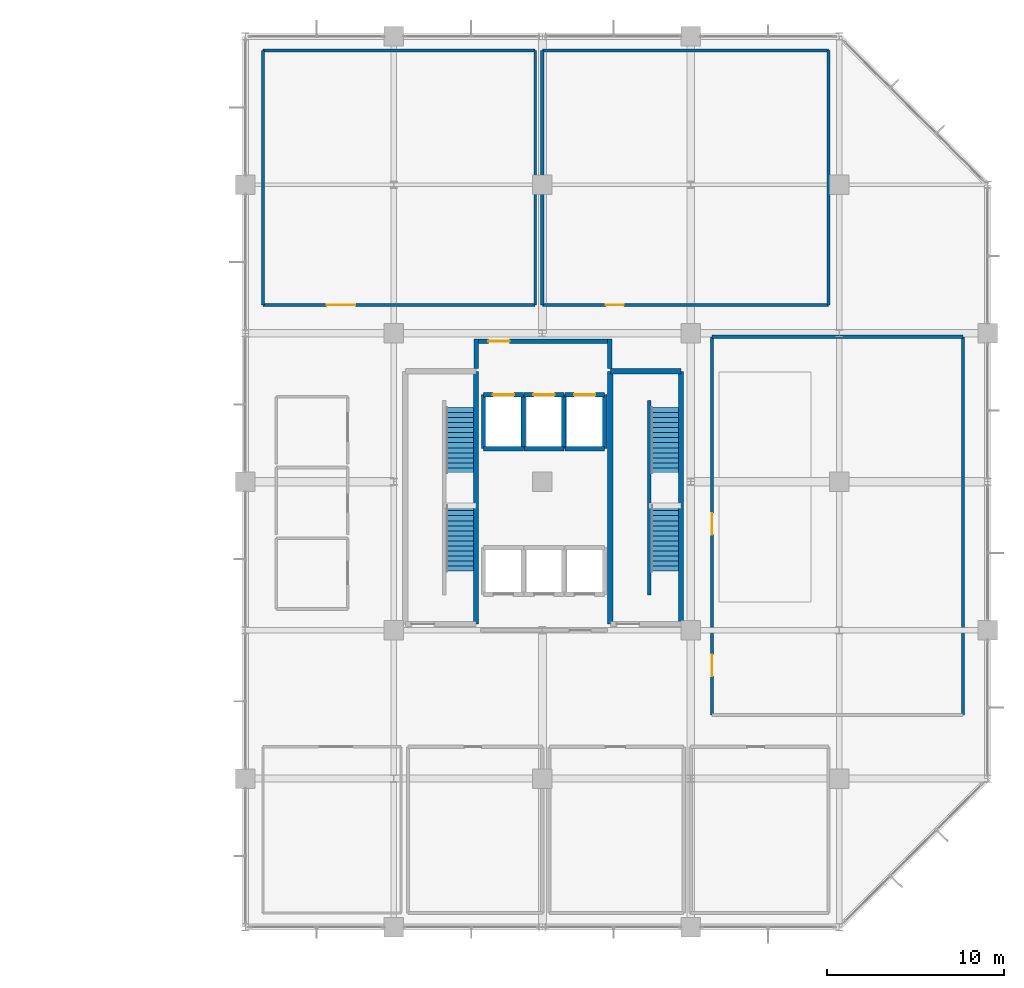
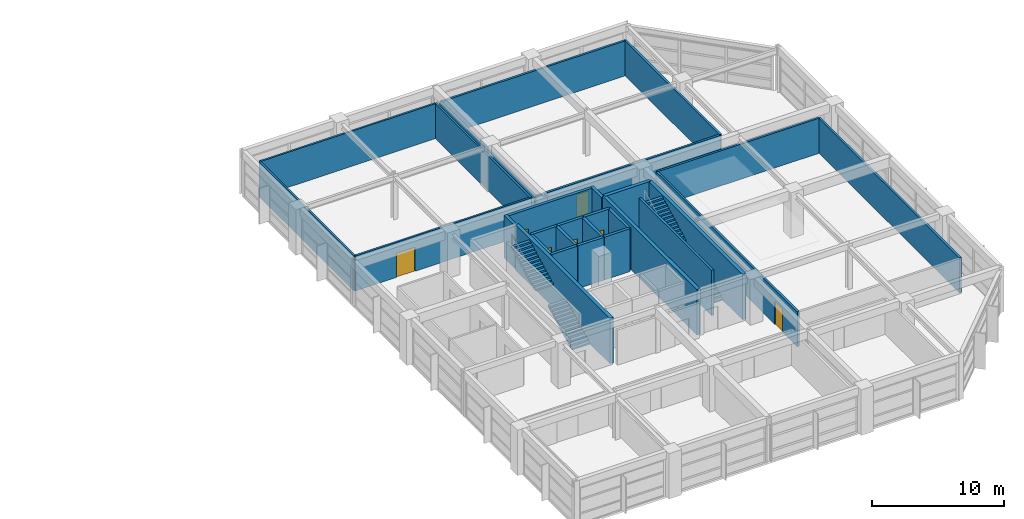
# One storey, part 16 of 18: 29 walls, 8 doors, 4 stair flights, 8 openings, 2 elements without a shape of their own.
"""IFC4 building model written with IfcOpenShell, lengths in metres."""

from ifc_helpers import new_model, si_unit, direction, frame, frame_2d, origin, place, context, subcontext, project, spatial, polyline, rectangle, outline, extrude, material, layer, layer_set, type_object, element, fill, aggregate, save


model = new_model("IFC4")

# Units and contexts
model_context = context("Model", 3, precision=1e-05, world=origin(), true_north=direction((0.0, 1.0)))
body_context = subcontext(model_context, "Body", "Model", "MODEL_VIEW")
ifc_project = project(units=[si_unit("LENGTHUNIT", "METRE"), si_unit("AREAUNIT", "SQUARE_METRE"), si_unit("VOLUMEUNIT", "CUBIC_METRE"), si_unit("PLANEANGLEUNIT", "RADIAN"), si_unit("MASSUNIT", "GRAM", prefix="KILO")], contexts=[model_context])

# Site, building, storey
site_placement = place(None, origin())
site = spatial("IfcSite", under=ifc_project, at=site_placement, CompositionType="ELEMENT")
building_placement = place(site_placement, origin())
building = spatial("IfcBuilding", under=site, at=building_placement, Name="Xuanlan Plaza Opera House", CompositionType="ELEMENT")
storey_placement = place(building_placement, frame((0.0, 0.0, 32.10009765625)))
storey = spatial("IfcBuildingStorey", under=building, at=storey_placement, Name="L07", CompositionType="ELEMENT", Elevation=32.10009765625)

# Wall
ifc_material_1 = material(Name="Gypsum Board and Galvanised Steel Studs", Category="gypsum")
ifc_layer_1 = layer(ifc_material_1, 0.179931640625)
ifc_layer_set_1 = layer_set([ifc_layer_1], Name="Gypsum Board and Galvanised Steel Studs")
wall_type_1 = type_object("IfcWallType", Name="INT-WL-PW-02", PredefinedType="PARTITIONING", material=ifc_layer_set_1)
wall_1_placement = place(storey_placement, frame((152.39990234375, 67.0, 0.0), z_axis=(0.0, 0.0, 1.0), x_axis=(1.0, 0.0, 0.0)))
element("IfcWall", 1, at=wall_1_placement, inside=storey, type_object=wall_type_1, Name="Performing Arts Production Studio Wall North", PredefinedType="PARTITIONING", context=body_context, shape_type="SweptSolid", body=[
    extrude(rectangle(XDim=14.2001953125, YDim=0.179931640625, at=frame_2d((7.10009765625, 0.0))), origin(), (0.0, 0.0, 1.0), 3.239990234375),
])

# Wall, openings, doors
wall_2_placement = place(storey_placement, frame((152.39990234375, 45.60009765625, 0.0), z_axis=(0.0, 0.0, 1.0), x_axis=(0.0, 1.0, 0.0)))
wall_2 = element("IfcWall", 2, at=wall_2_placement, inside=storey, type_object=wall_type_1, Name="Performing Arts Production Studio Wall West", PredefinedType="PARTITIONING", context=body_context, shape_type="SweptSolid", body=[
    extrude(rectangle(XDim=21.39990234375, YDim=0.179931640625, at=frame_2d((10.699951171875, 0.0))), origin(), (0.0, 0.0, 1.0), 3.239990234375),
])
opening_1_placement = place(wall_2_placement, frame((2.199951171875, 0.0, 0.0)))
opening_1 = element("IfcOpeningElement", 3, at=opening_1_placement, cuts=wall_2, Name="Opening D-05", PredefinedType="OPENING", context=body_context, shape_type="SweptSolid", body=[
    extrude(rectangle(XDim=1.219970703125, YDim=2.14990234375, at=frame_2d((0.60986328125, 1.074951171875))), frame((0.0, 0.099853515625, 0.0), z_axis=(0.0, -1.0, 0.0), x_axis=(1.0, 0.0, 0.0)), (0.0, 0.0, 1.0), 0.199951171875),
])
opening_2_placement = place(wall_2_placement, frame((10.199951171875, 0.0, 0.0)))
opening_2 = element("IfcOpeningElement", 4, at=opening_2_placement, cuts=wall_2, Name="Opening D-05", PredefinedType="OPENING", context=body_context, shape_type="SweptSolid", body=[
    extrude(rectangle(XDim=1.219970703125, YDim=2.14990234375, at=frame_2d((0.60986328125, 1.074951171875))), frame((0.0, 0.099853515625, 0.0), z_axis=(0.0, -1.0, 0.0), x_axis=(1.0, 0.0, 0.0)), (0.0, 0.0, 1.0), 0.199951171875),
])
ifc_material_2 = material(Name="Walnut Hardwood Timber", Category="wood")
door_type_1 = type_object("IfcDoorType", Name="INT-DR-D-05", OperationType="NOTDEFINED", PredefinedType="DOOR", material=ifc_material_2)
door_1_placement = place(opening_1_placement, origin())
door_1 = element("IfcDoor", 5, at=door_1_placement, inside=storey, type_object=door_type_1, Name="Performing Arts Production Studio Door 1", OperationType="SINGLE_SWING_LEFT", OverallHeight=2.14990234375, OverallWidth=1.219970703125, PredefinedType="DOOR", context=body_context, shape_type="SweptSolid", body=[
    extrude(rectangle(XDim=1.219970703125, YDim=2.14990234375, at=frame_2d((0.60986328125, 1.074951171875))), frame((0.0, 0.02490234375, 0.0), z_axis=(0.0, -1.0, 0.0), x_axis=(1.0, 0.0, 0.0)), (0.0, 0.0, 1.0), 0.050048828125),
])
fill(opening_1, door_1)
door_2_placement = place(opening_2_placement, origin())
door_2 = element("IfcDoor", 6, at=door_2_placement, inside=storey, type_object=door_type_1, Name="Performing Arts Production Studio Door 2", OperationType="SINGLE_SWING_RIGHT", OverallHeight=2.14990234375, OverallWidth=1.219970703125, PredefinedType="DOOR", context=body_context, shape_type="SweptSolid", body=[
    extrude(rectangle(XDim=1.219970703125, YDim=2.14990234375, at=frame_2d((0.60986328125, 1.074951171875))), frame((0.0, 0.02490234375, 0.0), z_axis=(0.0, -1.0, 0.0), x_axis=(1.0, 0.0, 0.0)), (0.0, 0.0, 1.0), 0.050048828125),
])
fill(opening_2, door_2)

# Wall
wall_3_placement = place(storey_placement, frame((166.60009765625, 45.60009765625, 0.0), z_axis=(0.0, 0.0, 1.0), x_axis=(0.0, 1.0, 0.0)))
element("IfcWall", 7, at=wall_3_placement, inside=storey, type_object=wall_type_1, Name="Performing Arts Production Studio Wall East", PredefinedType="PARTITIONING", context=body_context, shape_type="SweptSolid", body=[
    extrude(rectangle(XDim=21.39990234375, YDim=0.179931640625, at=frame_2d((10.699951171875, 0.0))), origin(), (0.0, 0.0, 1.0), 3.239990234375),
])

# Wall, opening, door
wall_4_placement = place(storey_placement, frame((142.800048828125, 68.800048828125, 0.0), z_axis=(0.0, 0.0, 1.0), x_axis=(1.0, 0.0, 0.0)))
wall_4 = element("IfcWall", 8, at=wall_4_placement, inside=storey, type_object=wall_type_1, Name="Dramaturgy and Programme Office Wall South", PredefinedType="PARTITIONING", context=body_context, shape_type="SweptSolid", body=[
    extrude(rectangle(XDim=16.199951171875, YDim=0.179931640625, at=frame_2d((8.10009765625, 0.0))), origin(), (0.0, 0.0, 1.0), 3.239990234375),
])
opening_3_placement = place(wall_4_placement, frame((3.60009765625, 0.0, 0.0)))
opening_3 = element("IfcOpeningElement", 9, at=opening_3_placement, cuts=wall_4, Name="Opening D-02", PredefinedType="OPENING", context=body_context, shape_type="SweptSolid", body=[
    extrude(rectangle(XDim=1.02001953125, YDim=2.10009765625, at=frame_2d((0.510009765625, 1.050048828125))), frame((0.0, 0.099853515625, 0.0), z_axis=(0.0, -1.0, 0.0), x_axis=(1.0, 0.0, 0.0)), (0.0, 0.0, 1.0), 0.199951171875),
])
ifc_material_3 = material(Name="Oak Hardwood Timber", Category="wood")
door_type_2 = type_object("IfcDoorType", Name="INT-DR-D-02", OperationType="NOTDEFINED", PredefinedType="DOOR", material=ifc_material_3)
door_3_placement = place(opening_3_placement, origin())
door_3 = element("IfcDoor", 10, at=door_3_placement, inside=storey, type_object=door_type_2, Name="Dramaturgy and Programme Office Door 1", OperationType="SINGLE_SWING_LEFT", OverallHeight=2.10009765625, OverallWidth=1.02001953125, PredefinedType="DOOR", context=body_context, shape_type="SweptSolid", body=[
    extrude(rectangle(XDim=1.02001953125, YDim=2.10009765625, at=frame_2d((0.510009765625, 1.050048828125))), frame((0.0, 0.02490234375, 0.0), z_axis=(0.0, -1.0, 0.0), x_axis=(1.0, 0.0, 0.0)), (0.0, 0.0, 1.0), 0.050048828125),
])
fill(opening_3, door_3)

# Walls
wall_5_placement = place(storey_placement, frame((142.800048828125, 83.199951171875, 0.0), z_axis=(0.0, 0.0, 1.0), x_axis=(1.0, 0.0, 0.0)))
element("IfcWall", 11, at=wall_5_placement, inside=storey, type_object=wall_type_1, Name="Dramaturgy and Programme Office Wall North", PredefinedType="PARTITIONING", context=body_context, shape_type="SweptSolid", body=[
    extrude(rectangle(XDim=16.199951171875, YDim=0.179931640625, at=frame_2d((8.10009765625, 0.0))), origin(), (0.0, 0.0, 1.0), 3.239990234375),
])
for number, where, z_axis, x_axis, name in (
    (12, (142.800048828125, 68.800048828125, 0.0), (0.0, 0.0, 1.0), (0.0, 1.0, 0.0), "Dramaturgy and Programme Office Wall West"),
    (13, (159.0, 68.800048828125, 0.0), (0.0, 0.0, 1.0), (0.0, 1.0, 0.0), "Dramaturgy and Programme Office Wall East"),
):
    element("IfcWall", number, at=place(storey_placement, frame(where, z_axis=z_axis, x_axis=x_axis)), inside=storey, type_object=wall_type_1, Name=name, PredefinedType="PARTITIONING", context=body_context, shape_type="SweptSolid", body=[
        extrude(rectangle(XDim=14.39990234375, YDim=0.179931640625, at=frame_2d((7.199951171875, 0.0))), origin(), (0.0, 0.0, 1.0), 3.239990234375),
    ])

# Wall, opening, door
ifc_layer_2 = layer(ifc_material_1, 0.159912109375)
ifc_layer_set_2 = layer_set([ifc_layer_2], Name="Gypsum Board and Galvanised Steel Studs")
wall_type_2 = type_object("IfcWallType", Name="INT-WL-PW-05", PredefinedType="PARTITIONING", material=ifc_layer_set_2)
wall_6_placement = place(storey_placement, frame((127.0, 68.800048828125, 0.0), z_axis=(0.0, 0.0, 1.0), x_axis=(1.0, 0.0, 0.0)))
wall_6 = element("IfcWall", 14, at=wall_6_placement, inside=storey, type_object=wall_type_2, Name="Artistic Direction Boardroom Wall South", PredefinedType="PARTITIONING", context=body_context, shape_type="SweptSolid", body=[
    extrude(rectangle(XDim=15.39990234375, YDim=0.159912109375, at=frame_2d((7.699951171875, 0.0))), origin(), (0.0, 0.0, 1.0), 3.239990234375),
])
opening_4_placement = place(wall_6_placement, frame((3.60009765625, 0.0, 0.0)))
opening_4 = element("IfcOpeningElement", 15, at=opening_4_placement, cuts=wall_6, Name="Opening D-08", PredefinedType="OPENING", context=body_context, shape_type="SweptSolid", body=[
    extrude(rectangle(XDim=1.6201171875, YDim=2.219970703125, at=frame_2d((0.81005859375, 1.10986328125))), frame((0.0, 0.08984375, 0.0), z_axis=(0.0, -1.0, 0.0), x_axis=(1.0, 0.0, 0.0)), (0.0, 0.0, 1.0), 0.179931640625),
])
door_type_3 = type_object("IfcDoorType", Name="INT-DR-D-08", OperationType="DOUBLE_DOOR_SINGLE_SWING", PredefinedType="DOOR", material=ifc_material_2)
door_4_placement = place(opening_4_placement, origin())
door_4 = element("IfcDoor", 16, at=door_4_placement, inside=storey, type_object=door_type_3, Name="Artistic Direction Boardroom Door 1", OperationType="DOUBLE_DOOR_SINGLE_SWING", OverallHeight=2.219970703125, OverallWidth=1.6201171875, PredefinedType="DOOR", context=body_context, shape_type="SweptSolid", body=[
    extrude(rectangle(XDim=1.6201171875, YDim=2.219970703125, at=frame_2d((0.81005859375, 1.10986328125))), frame((0.0, 0.02490234375, 0.0), z_axis=(0.0, -1.0, 0.0), x_axis=(1.0, 0.0, 0.0)), (0.0, 0.0, 1.0), 0.050048828125),
])
fill(opening_4, door_4)

# Walls
wall_7_placement = place(storey_placement, frame((127.0, 83.199951171875, 0.0), z_axis=(0.0, 0.0, 1.0), x_axis=(1.0, 0.0, 0.0)))
element("IfcWall", 17, at=wall_7_placement, inside=storey, type_object=wall_type_2, Name="Artistic Direction Boardroom Wall North", PredefinedType="PARTITIONING", context=body_context, shape_type="SweptSolid", body=[
    extrude(rectangle(XDim=15.39990234375, YDim=0.159912109375, at=frame_2d((7.699951171875, 0.0))), origin(), (0.0, 0.0, 1.0), 3.239990234375),
])
for number, where, z_axis, x_axis, name in (
    (18, (127.0, 68.800048828125, 0.0), (0.0, 0.0, 1.0), (0.0, 1.0, 0.0), "Artistic Direction Boardroom Wall West"),
    (19, (142.39990234375, 68.800048828125, 0.0), (0.0, 0.0, 1.0), (0.0, 1.0, 0.0), "Artistic Direction Boardroom Wall East"),
):
    element("IfcWall", number, at=place(storey_placement, frame(where, z_axis=z_axis, x_axis=x_axis)), inside=storey, type_object=wall_type_2, Name=name, PredefinedType="PARTITIONING", context=body_context, shape_type="SweptSolid", body=[
        extrude(rectangle(XDim=14.39990234375, YDim=0.159912109375, at=frame_2d((7.199951171875, 0.0))), origin(), (0.0, 0.0, 1.0), 3.239990234375),
    ])
ifc_material_4 = material(Name="Concrete C40", Category="concrete")
ifc_layer_3 = layer(ifc_material_4, 0.25)
ifc_layer_set_3 = layer_set([ifc_layer_3], Name="Concrete C40")
wall_type_3 = type_object("IfcWallType", Name="INT-WL-SW-LF1", PredefinedType="SHEAR", material=ifc_layer_set_3)
wall_8_placement = place(storey_placement, frame((139.47509765625, 60.675048828125, 0.0), z_axis=(0.0, 0.0, 1.0), x_axis=(1.0, 0.0, 0.0)))
element("IfcWall", 20, at=wall_8_placement, inside=storey, type_object=wall_type_3, Name="Lift Shaft Wall LF-FF1 L07 South", PredefinedType="SHEAR", context=body_context, shape_type="SweptSolid", body=[
    extrude(rectangle(XDim=2.25, YDim=0.25, at=frame_2d((1.125, 0.0))), origin(), (0.0, 0.0, 1.0), 3.9599609375),
])

# Wall, opening, door
wall_9_placement = place(storey_placement, frame((139.47509765625, 63.72509765625, 0.0), z_axis=(0.0, 0.0, 1.0), x_axis=(1.0, 0.0, 0.0)))
wall_9 = element("IfcWall", 21, at=wall_9_placement, inside=storey, type_object=wall_type_3, Name="Lift Shaft Wall LF-FF1 L07 North", PredefinedType="SHEAR", context=body_context, shape_type="SweptSolid", body=[
    extrude(rectangle(XDim=2.25, YDim=0.25, at=frame_2d((1.125, 0.0))), origin(), (0.0, 0.0, 1.0), 3.9599609375),
])
opening_5_placement = place(wall_9_placement, frame((0.52490234375, 0.0, 0.0)))
opening_5 = element("IfcOpeningElement", 22, at=opening_5_placement, cuts=wall_9, Name="Opening LD-FF1-L07", PredefinedType="OPENING", context=body_context, shape_type="SweptSolid", body=[
    extrude(rectangle(XDim=1.199951171875, YDim=2.179931640625, at=frame_2d((0.60009765625, 1.08984375))), frame((0.0, 0.135009765625, 0.0), z_axis=(0.0, -1.0, 0.0), x_axis=(1.0, 0.0, 0.0)), (0.0, 0.0, 1.0), 0.27001953125),
])
ifc_material_5 = material(Name="Stainless Steel S30408", Category="steel")
door_type_4 = type_object("IfcDoorType", Name="INT-DR-LD-02", OperationType="DOUBLE_DOOR_SLIDING", PredefinedType="DOOR", material=ifc_material_5)
door_5_placement = place(opening_5_placement, origin())
door_5 = element("IfcDoor", 23, at=door_5_placement, inside=storey, type_object=door_type_4, Name="Lift Sliding Landing Door LF-FF1 L07", OperationType="DOUBLE_DOOR_SLIDING", OverallHeight=2.179931640625, OverallWidth=1.199951171875, PredefinedType="DOOR", context=body_context, shape_type="SweptSolid", body=[
    extrude(rectangle(XDim=1.199951171875, YDim=2.179931640625, at=frame_2d((0.60009765625, 1.08984375))), frame((0.0, 0.02490234375, 0.0), z_axis=(0.0, -1.0, 0.0), x_axis=(1.0, 0.0, 0.0)), (0.0, 0.0, 1.0), 0.050048828125),
])
fill(opening_5, door_5)

# Walls
for number, where, z_axis, x_axis, name in (
    (24, (139.47509765625, 60.675048828125, 0.0), (0.0, 0.0, 1.0), (0.0, 1.0, 0.0), "Lift Shaft Wall LF-FF1 L07 West"),
    (25, (141.72509765625, 60.675048828125, 0.0), (0.0, 0.0, 1.0), (0.0, 1.0, 0.0), "Lift Shaft Wall LF-FF1 L07 East"),
):
    element("IfcWall", number, at=place(storey_placement, frame(where, z_axis=z_axis, x_axis=x_axis)), inside=storey, type_object=wall_type_3, Name=name, PredefinedType="SHEAR", context=body_context, shape_type="SweptSolid", body=[
        extrude(rectangle(XDim=3.050048828125, YDim=0.25, at=frame_2d((1.52490234375, 0.0))), origin(), (0.0, 0.0, 1.0), 3.9599609375),
    ])
wall_10_placement = place(storey_placement, frame((141.77490234375, 60.675048828125, 0.0), z_axis=(0.0, 0.0, 1.0), x_axis=(1.0, 0.0, 0.0)))
element("IfcWall", 26, at=wall_10_placement, inside=storey, type_object=wall_type_3, Name="Lift Shaft Wall LF-FF2 L07 South", PredefinedType="SHEAR", context=body_context, shape_type="SweptSolid", body=[
    extrude(rectangle(XDim=2.25, YDim=0.25, at=frame_2d((1.125, 0.0))), origin(), (0.0, 0.0, 1.0), 3.9599609375),
])

# Wall, opening, door
wall_11_placement = place(storey_placement, frame((141.77490234375, 63.72509765625, 0.0), z_axis=(0.0, 0.0, 1.0), x_axis=(1.0, 0.0, 0.0)))
wall_11 = element("IfcWall", 27, at=wall_11_placement, inside=storey, type_object=wall_type_3, Name="Lift Shaft Wall LF-FF2 L07 North", PredefinedType="SHEAR", context=body_context, shape_type="SweptSolid", body=[
    extrude(rectangle(XDim=2.25, YDim=0.25, at=frame_2d((1.125, 0.0))), origin(), (0.0, 0.0, 1.0), 3.9599609375),
])
opening_6_placement = place(wall_11_placement, frame((0.52490234375, 0.0, 0.0)))
opening_6 = element("IfcOpeningElement", 28, at=opening_6_placement, cuts=wall_11, Name="Opening LD-FF2-L07", PredefinedType="OPENING", context=body_context, shape_type="SweptSolid", body=[
    extrude(rectangle(XDim=1.199951171875, YDim=2.179931640625, at=frame_2d((0.60009765625, 1.08984375))), frame((0.0, 0.135009765625, 0.0), z_axis=(0.0, -1.0, 0.0), x_axis=(1.0, 0.0, 0.0)), (0.0, 0.0, 1.0), 0.27001953125),
])
door_6_placement = place(opening_6_placement, origin())
door_6 = element("IfcDoor", 29, at=door_6_placement, inside=storey, type_object=door_type_4, Name="Lift Sliding Landing Door LF-FF2 L07", OperationType="DOUBLE_DOOR_SLIDING", OverallHeight=2.179931640625, OverallWidth=1.199951171875, PredefinedType="DOOR", context=body_context, shape_type="SweptSolid", body=[
    extrude(rectangle(XDim=1.199951171875, YDim=2.179931640625, at=frame_2d((0.60009765625, 1.08984375))), frame((0.0, 0.02490234375, 0.0), z_axis=(0.0, -1.0, 0.0), x_axis=(1.0, 0.0, 0.0)), (0.0, 0.0, 1.0), 0.050048828125),
])
fill(opening_6, door_6)

# Walls
wall_12_placement = place(storey_placement, frame((144.02490234375, 60.675048828125, 0.0), z_axis=(0.0, 0.0, 1.0), x_axis=(0.0, 1.0, 0.0)))
element("IfcWall", 30, at=wall_12_placement, inside=storey, type_object=wall_type_3, Name="Lift Shaft Wall LF-FF2 L07 East", PredefinedType="SHEAR", context=body_context, shape_type="SweptSolid", body=[
    extrude(rectangle(XDim=3.050048828125, YDim=0.25, at=frame_2d((1.52490234375, 0.0))), origin(), (0.0, 0.0, 1.0), 3.9599609375),
])
wall_13_placement = place(storey_placement, frame((144.074951171875, 60.675048828125, 0.0), z_axis=(0.0, 0.0, 1.0), x_axis=(1.0, 0.0, 0.0)))
element("IfcWall", 31, at=wall_13_placement, inside=storey, type_object=wall_type_3, Name="Lift Shaft Wall LF-FF3 L07 South", PredefinedType="SHEAR", context=body_context, shape_type="SweptSolid", body=[
    extrude(rectangle(XDim=2.25, YDim=0.25, at=frame_2d((1.125, 0.0))), origin(), (0.0, 0.0, 1.0), 3.9599609375),
])

# Wall, opening, door
wall_14_placement = place(storey_placement, frame((144.074951171875, 63.72509765625, 0.0), z_axis=(0.0, 0.0, 1.0), x_axis=(1.0, 0.0, 0.0)))
wall_14 = element("IfcWall", 32, at=wall_14_placement, inside=storey, type_object=wall_type_3, Name="Lift Shaft Wall LF-FF3 L07 North", PredefinedType="SHEAR", context=body_context, shape_type="SweptSolid", body=[
    extrude(rectangle(XDim=2.25, YDim=0.25, at=frame_2d((1.125, 0.0))), origin(), (0.0, 0.0, 1.0), 3.9599609375),
])
opening_7_placement = place(wall_14_placement, frame((0.52490234375, 0.0, 0.0)))
opening_7 = element("IfcOpeningElement", 33, at=opening_7_placement, cuts=wall_14, Name="Opening LD-FF3-L07", PredefinedType="OPENING", context=body_context, shape_type="SweptSolid", body=[
    extrude(rectangle(XDim=1.199951171875, YDim=2.179931640625, at=frame_2d((0.60009765625, 1.08984375))), frame((0.0, 0.135009765625, 0.0), z_axis=(0.0, -1.0, 0.0), x_axis=(1.0, 0.0, 0.0)), (0.0, 0.0, 1.0), 0.27001953125),
])
door_7_placement = place(opening_7_placement, origin())
door_7 = element("IfcDoor", 34, at=door_7_placement, inside=storey, type_object=door_type_4, Name="Lift Sliding Landing Door LF-FF3 L07", OperationType="DOUBLE_DOOR_SLIDING", OverallHeight=2.179931640625, OverallWidth=1.199951171875, PredefinedType="DOOR", context=body_context, shape_type="SweptSolid", body=[
    extrude(rectangle(XDim=1.199951171875, YDim=2.179931640625, at=frame_2d((0.60009765625, 1.08984375))), frame((0.0, 0.02490234375, 0.0), z_axis=(0.0, -1.0, 0.0), x_axis=(1.0, 0.0, 0.0)), (0.0, 0.0, 1.0), 0.050048828125),
])
fill(opening_7, door_7)

# Walls
wall_15_placement = place(storey_placement, frame((146.324951171875, 60.675048828125, 0.0), z_axis=(0.0, 0.0, 1.0), x_axis=(0.0, 1.0, 0.0)))
element("IfcWall", 35, at=wall_15_placement, inside=storey, type_object=wall_type_3, Name="Lift Shaft Wall LF-FF3 L07 East", PredefinedType="SHEAR", context=body_context, shape_type="SweptSolid", body=[
    extrude(rectangle(XDim=3.050048828125, YDim=0.25, at=frame_2d((1.52490234375, 0.0))), origin(), (0.0, 0.0, 1.0), 3.9599609375),
])
for number, where, z_axis, x_axis, name in (
    (36, (139.074951171875, 65.199951171875, 0.0), (0.0, 0.0, 1.0), (0.0, 1.0, 0.0), "Firefighting Lift Lobby Enclosure Wall L07 W"),
    (37, (146.625, 65.199951171875, 0.0), (0.0, 0.0, 1.0), (0.0, 1.0, 0.0), "Firefighting Lift Lobby Enclosure Wall L07 E"),
):
    element("IfcWall", number, at=place(storey_placement, frame(where, z_axis=z_axis, x_axis=x_axis)), inside=storey, type_object=wall_type_3, Name=name, PredefinedType="SHEAR", context=body_context, shape_type="SweptSolid", body=[
        extrude(rectangle(XDim=1.675048828125, YDim=0.25, at=frame_2d((0.83740234375, 0.0))), origin(), (0.0, 0.0, 1.0), 3.9599609375),
    ])

# Wall, opening, door
wall_16_placement = place(storey_placement, frame((139.199951171875, 66.75, 0.0), z_axis=(0.0, 0.0, 1.0), x_axis=(1.0, 0.0, 0.0)))
wall_16 = element("IfcWall", 38, at=wall_16_placement, inside=storey, type_object=wall_type_3, Name="Firefighting Lift Lobby Wall North", PredefinedType="SHEAR", context=body_context, shape_type="SweptSolid", body=[
    extrude(rectangle(XDim=7.300048828125, YDim=0.25, at=frame_2d((3.64990234375, 0.0))), origin(), (0.0, 0.0, 1.0), 3.9599609375),
])
opening_8_placement = place(wall_16_placement, frame((0.550048828125, 0.0, 0.0)))
opening_8 = element("IfcOpeningElement", 39, at=opening_8_placement, cuts=wall_16, Name="Opening FD-02", PredefinedType="OPENING", context=body_context, shape_type="SweptSolid", body=[
    extrude(rectangle(XDim=1.199951171875, YDim=2.14990234375, at=frame_2d((0.60009765625, 1.074951171875))), frame((0.0, 0.135009765625, 0.0), z_axis=(0.0, -1.0, 0.0), x_axis=(1.0, 0.0, 0.0)), (0.0, 0.0, 1.0), 0.27001953125),
])
ifc_material_6 = material(Name="Galvanised Steel Q235B", Category="steel")
door_type_5 = type_object("IfcDoorType", Name="INT-DR-FD-02", OperationType="NOTDEFINED", PredefinedType="DOOR", material=ifc_material_6)
door_8_placement = place(opening_8_placement, origin())
door_8 = element("IfcDoor", 40, at=door_8_placement, inside=storey, type_object=door_type_5, Name="Firefighting Lift Lobby Door 1", OperationType="SINGLE_SWING_RIGHT", OverallHeight=2.14990234375, OverallWidth=1.199951171875, PredefinedType="DOOR", context=body_context, shape_type="SweptSolid", body=[
    extrude(rectangle(XDim=1.199951171875, YDim=2.14990234375, at=frame_2d((0.60009765625, 1.074951171875))), frame((0.0, 0.02490234375, 0.0), z_axis=(0.0, -1.0, 0.0), x_axis=(1.0, 0.0, 0.0)), (0.0, 0.0, 1.0), 0.050048828125),
])
fill(opening_8, door_8)

# Walls
ifc_layer_4 = layer(ifc_material_4, 0.199951171875)
ifc_layer_set_4 = layer_set([ifc_layer_4], Name="Concrete C40")
wall_type_4 = type_object("IfcWallType", Name="INT-WL-SW-SPN", PredefinedType="SHEAR", material=ifc_layer_set_4)
wall_17_placement = place(storey_placement, frame((148.85009765625, 52.39990234375, 0.0), z_axis=(0.0, 0.0, 1.0), x_axis=(0.0, 1.0, 0.0)))
element("IfcWall", 41, at=wall_17_placement, inside=storey, type_object=wall_type_4, Name="Stair Structural Spine Wall ST-T2 L07", PredefinedType="SHEAR", context=body_context, shape_type="SweptSolid", body=[
    extrude(rectangle(XDim=11.0, YDim=0.199951171875, at=frame_2d((5.5, 0.0))), origin(), (0.0, 0.0, 1.0), 4.199951171875),
])
ifc_layer_5 = layer(ifc_material_4, 0.300048828125)
ifc_layer_set_5 = layer_set([ifc_layer_5], Name="Concrete C40")
wall_type_5 = type_object("IfcWallType", Name="INT-WL-SW-ST1", PredefinedType="SHEAR", material=ifc_layer_set_5)
wall_18_placement = place(storey_placement, frame((139.050048828125, 50.75, 0.0), z_axis=(0.0, 0.0, 1.0), x_axis=(0.0, 1.0, 0.0)))
element("IfcWall", 42, at=wall_18_placement, inside=storey, type_object=wall_type_5, Name="Stair Core Wall ST-T1 L07 East", PredefinedType="SHEAR", context=body_context, shape_type="SweptSolid", body=[
    extrude(rectangle(XDim=14.300048828125, YDim=0.300048828125, at=frame_2d((7.14990234375, 0.0))), origin(), (0.0, 0.0, 1.0), 4.199951171875),
])
wall_19_placement = place(storey_placement, frame((146.64990234375, 65.050048828125, 0.0), z_axis=(0.0, 0.0, 1.0), x_axis=(1.0, 0.0, 0.0)))
element("IfcWall", 43, at=wall_19_placement, inside=storey, type_object=wall_type_5, Name="Stair Core Wall ST-T2 L07 North", PredefinedType="SHEAR", context=body_context, shape_type="SweptSolid", body=[
    extrude(rectangle(XDim=4.0, YDim=0.300048828125, at=frame_2d((2.0, 0.0))), origin(), (0.0, 0.0, 1.0), 4.199951171875),
])
for number, where, z_axis, x_axis, name in (
    (44, (146.64990234375, 50.75, 0.0), (0.0, 0.0, 1.0), (0.0, 1.0, 0.0), "Stair Core Wall ST-T2 L07 West"),
    (45, (150.64990234375, 50.75, 0.0), (0.0, 0.0, 1.0), (0.0, 1.0, 0.0), "Stair Core Wall ST-T2 L07 East"),
):
    element("IfcWall", number, at=place(storey_placement, frame(where, z_axis=z_axis, x_axis=x_axis)), inside=storey, type_object=wall_type_5, Name=name, PredefinedType="SHEAR", context=body_context, shape_type="SweptSolid", body=[
        extrude(rectangle(XDim=14.300048828125, YDim=0.300048828125, at=frame_2d((7.14990234375, 0.0))), origin(), (0.0, 0.0, 1.0), 4.199951171875),
    ])

# Stair, stair flights
stair_type = type_object("IfcStairType", Name="INT-ST-STR-T155", PredefinedType="STRAIGHT_RUN_STAIR", material=ifc_material_4)
stair_1_placement = place(storey_placement, origin())
stair_1 = element("IfcStair", 46, at=stair_1_placement, inside=storey, type_object=stair_type, Name="Protected Exit Stair ST-T1 L07", PredefinedType="STRAIGHT_RUN_STAIR")
ifc_layer_6 = layer(ifc_material_4, 0.159912109375)
ifc_layer_set_6 = layer_set([ifc_layer_6], Name="Concrete C40")
stair_flight_type = type_object("IfcStairFlightType", Name="INT-FL-FL-155", PredefinedType="STRAIGHT", material=ifc_layer_set_6)
stair_flight_1_placement = place(storey_placement, frame((138.125, 53.739990234375, 0.0), z_axis=(0.0, 0.0, 1.0), x_axis=(0.0, 1.0, 0.0)))
stair_flight_1 = element("IfcStairFlight", 47, at=stair_flight_1_placement, type_object=stair_flight_type, Name="ST-T1-L07 flight 1", NumberOfRisers=14, NumberOfTreads=13, PredefinedType="STRAIGHT", RiserHeight=0.15, TreadLength=0.285, context=body_context, shape_type="SweptSolid", body=[
    extrude(outline(polyline([(0.0, 0.0), (0.0, 0.14990234375), (0.284912109375, 0.14990234375), (0.284912109375, 0.300048828125), (0.570068359375, 0.300048828125), (0.570068359375, 0.449951171875), (0.85498046875, 0.449951171875), (0.85498046875, 0.60009765625), (1.139892578125, 0.60009765625), (1.139892578125, 0.75), (1.425048828125, 0.75), (1.425048828125, 0.89990234375), (1.7099609375, 0.89990234375), (1.7099609375, 1.050048828125), (1.9951171875, 1.050048828125), (1.9951171875, 1.199951171875), (2.280029296875, 1.199951171875), (2.280029296875, 1.35009765625), (2.56494140625, 1.35009765625), (2.56494140625, 1.5), (2.85009765625, 1.5), (2.85009765625, 1.64990234375), (3.135009765625, 1.64990234375), (3.135009765625, 1.800048828125), (3.419921875, 1.800048828125), (3.419921875, 1.949951171875), (3.705078125, 1.949951171875), (3.705078125, 2.10009765625), (3.705078125, 1.769287109375), (0.34326171875, 0.0), (0.0, 0.0)])), frame((0.0, 0.77490234375, 0.0), z_axis=(0.0, -1.0, 0.0), x_axis=(1.0, 0.0, 0.0)), (0.0, 0.0, 1.0), 1.550048828125),
])
stair_flight_2_placement = place(storey_placement, frame((138.125, 59.294921875, 2.099853515625), z_axis=(0.0, 0.0, 1.0), x_axis=(0.0, 1.0, 0.0)))
stair_flight_2 = element("IfcStairFlight", 48, at=stair_flight_2_placement, type_object=stair_flight_type, Name="ST-T1-L07 flight 2", NumberOfRisers=14, NumberOfTreads=13, PredefinedType="STRAIGHT", RiserHeight=0.15, TreadLength=0.285, context=body_context, shape_type="SweptSolid", body=[
    extrude(outline(polyline([(0.0, 0.0), (0.0, 0.14990234375), (0.284912109375, 0.14990234375), (0.284912109375, 0.300048828125), (0.570068359375, 0.300048828125), (0.570068359375, 0.449951171875), (0.85498046875, 0.449951171875), (0.85498046875, 0.60009765625), (1.139892578125, 0.60009765625), (1.139892578125, 0.75), (1.425048828125, 0.75), (1.425048828125, 0.89990234375), (1.7099609375, 0.89990234375), (1.7099609375, 1.050048828125), (1.9951171875, 1.050048828125), (1.9951171875, 1.199951171875), (2.280029296875, 1.199951171875), (2.280029296875, 1.35009765625), (2.56494140625, 1.35009765625), (2.56494140625, 1.5), (2.85009765625, 1.5), (2.85009765625, 1.64990234375), (3.135009765625, 1.64990234375), (3.135009765625, 1.800048828125), (3.419921875, 1.800048828125), (3.419921875, 1.949951171875), (3.705078125, 1.949951171875), (3.705078125, 2.10009765625), (3.705078125, 1.769287109375), (0.34326171875, 0.0), (0.0, 0.0)])), frame((0.0, 0.77490234375, 0.0), z_axis=(0.0, -1.0, 0.0), x_axis=(1.0, 0.0, 0.0)), (0.0, 0.0, 1.0), 1.550048828125),
])
aggregate(stair_1, [stair_flight_1, stair_flight_2])

stair_2_placement = place(storey_placement, origin())
stair_2 = element("IfcStair", 49, at=stair_2_placement, inside=storey, type_object=stair_type, Name="Protected Exit Stair ST-T2 L07", PredefinedType="STRAIGHT_RUN_STAIR")
stair_flight_3_placement = place(storey_placement, frame((149.72509765625, 53.739990234375, 0.0), z_axis=(0.0, 0.0, 1.0), x_axis=(0.0, 1.0, 0.0)))
stair_flight_3 = element("IfcStairFlight", 50, at=stair_flight_3_placement, type_object=stair_flight_type, Name="ST-T2-L07 flight 1", NumberOfRisers=14, NumberOfTreads=13, PredefinedType="STRAIGHT", RiserHeight=0.15, TreadLength=0.285, context=body_context, shape_type="SweptSolid", body=[
    extrude(outline(polyline([(0.0, 0.0), (0.0, 0.14990234375), (0.284912109375, 0.14990234375), (0.284912109375, 0.300048828125), (0.570068359375, 0.300048828125), (0.570068359375, 0.449951171875), (0.85498046875, 0.449951171875), (0.85498046875, 0.60009765625), (1.139892578125, 0.60009765625), (1.139892578125, 0.75), (1.425048828125, 0.75), (1.425048828125, 0.89990234375), (1.7099609375, 0.89990234375), (1.7099609375, 1.050048828125), (1.9951171875, 1.050048828125), (1.9951171875, 1.199951171875), (2.280029296875, 1.199951171875), (2.280029296875, 1.35009765625), (2.56494140625, 1.35009765625), (2.56494140625, 1.5), (2.85009765625, 1.5), (2.85009765625, 1.64990234375), (3.135009765625, 1.64990234375), (3.135009765625, 1.800048828125), (3.419921875, 1.800048828125), (3.419921875, 1.949951171875), (3.705078125, 1.949951171875), (3.705078125, 2.10009765625), (3.705078125, 1.769287109375), (0.34326171875, 0.0), (0.0, 0.0)])), frame((0.0, 0.77490234375, 0.0), z_axis=(0.0, -1.0, 0.0), x_axis=(1.0, 0.0, 0.0)), (0.0, 0.0, 1.0), 1.550048828125),
])
stair_flight_4_placement = place(storey_placement, frame((149.72509765625, 59.294921875, 2.099853515625), z_axis=(0.0, 0.0, 1.0), x_axis=(0.0, 1.0, 0.0)))
stair_flight_4 = element("IfcStairFlight", 51, at=stair_flight_4_placement, type_object=stair_flight_type, Name="ST-T2-L07 flight 2", NumberOfRisers=14, NumberOfTreads=13, PredefinedType="STRAIGHT", RiserHeight=0.15, TreadLength=0.285, context=body_context, shape_type="SweptSolid", body=[
    extrude(outline(polyline([(0.0, 0.0), (0.0, 0.14990234375), (0.284912109375, 0.14990234375), (0.284912109375, 0.300048828125), (0.570068359375, 0.300048828125), (0.570068359375, 0.449951171875), (0.85498046875, 0.449951171875), (0.85498046875, 0.60009765625), (1.139892578125, 0.60009765625), (1.139892578125, 0.75), (1.425048828125, 0.75), (1.425048828125, 0.89990234375), (1.7099609375, 0.89990234375), (1.7099609375, 1.050048828125), (1.9951171875, 1.050048828125), (1.9951171875, 1.199951171875), (2.280029296875, 1.199951171875), (2.280029296875, 1.35009765625), (2.56494140625, 1.35009765625), (2.56494140625, 1.5), (2.85009765625, 1.5), (2.85009765625, 1.64990234375), (3.135009765625, 1.64990234375), (3.135009765625, 1.800048828125), (3.419921875, 1.800048828125), (3.419921875, 1.949951171875), (3.705078125, 1.949951171875), (3.705078125, 2.10009765625), (3.705078125, 1.769287109375), (0.34326171875, 0.0), (0.0, 0.0)])), frame((0.0, 0.77490234375, 0.0), z_axis=(0.0, -1.0, 0.0), x_axis=(1.0, 0.0, 0.0)), (0.0, 0.0, 1.0), 1.550048828125),
])
aggregate(stair_2, [stair_flight_3, stair_flight_4])

save(model, "model.ifc")
